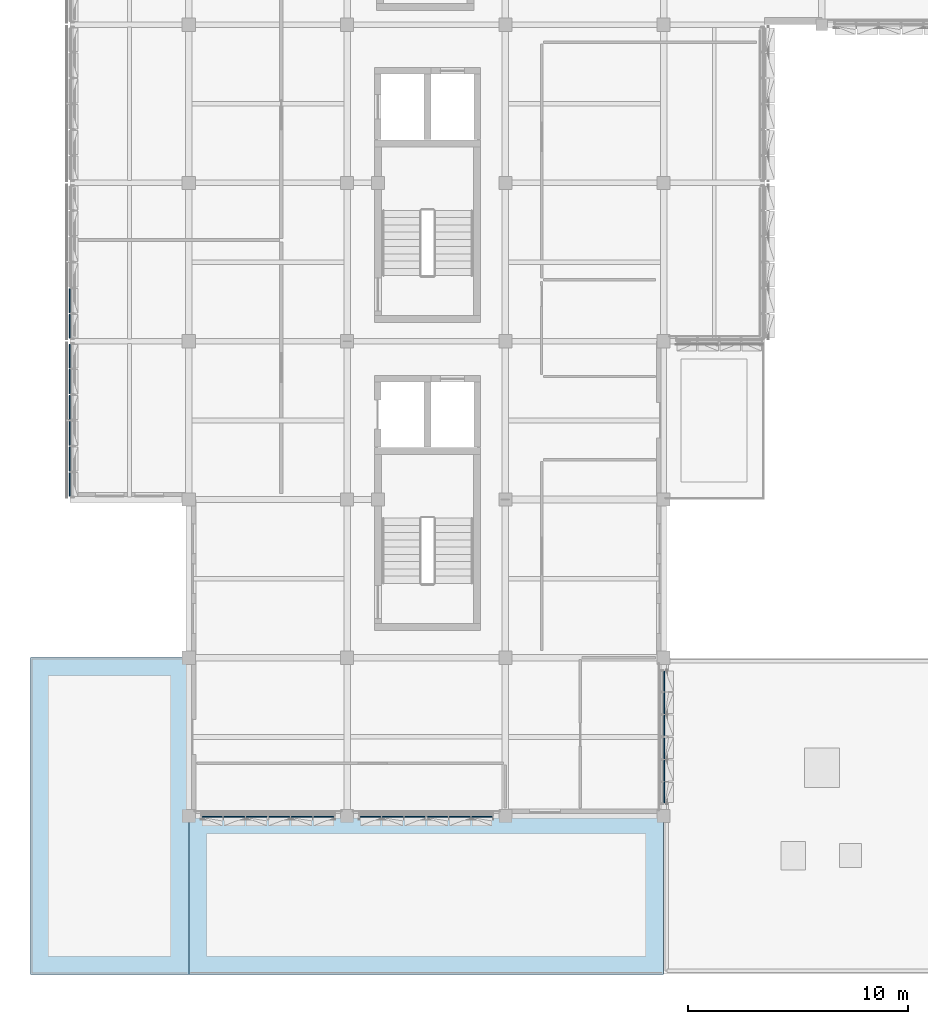
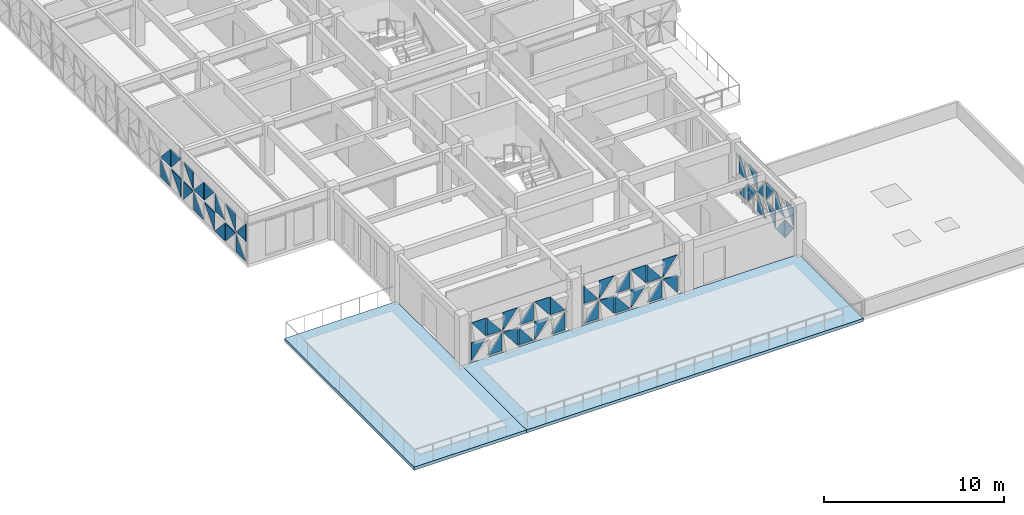
# One storey, part 25 of 74: 52 plates, 2 slabs, 5 elements without a shape of their own.
"""IFC4 building model written with IfcOpenShell, lengths in metres."""

from ifc_helpers import new_model, si_unit, direction, frame, origin, place, context, subcontext, project, spatial, polyline, outline, extrude, material, layer, layer_set, type_object, element, aggregate, save


model = new_model("IFC4")

# Units and contexts
model_context = context("Model", 3, precision=1e-05, world=origin(), true_north=direction((0.0, 1.0)))
body_context = subcontext(model_context, "Body", "Model", "MODEL_VIEW")
ifc_project = project(units=[si_unit("LENGTHUNIT", "METRE"), si_unit("AREAUNIT", "SQUARE_METRE"), si_unit("VOLUMEUNIT", "CUBIC_METRE"), si_unit("PLANEANGLEUNIT", "RADIAN"), si_unit("MASSUNIT", "GRAM", prefix="KILO")], contexts=[model_context])

# Site, building, storey
site_placement = place(None, origin())
site = spatial("IfcSite", under=ifc_project, at=site_placement, CompositionType="ELEMENT")
building_placement = place(site_placement, origin())
building = spatial("IfcBuilding", under=site, at=building_placement, Name="Alvorim Cloister Faculty of Sciences", CompositionType="ELEMENT")
storey_placement = place(building_placement, frame((0.0, 0.0, 15.75)))
storey = spatial("IfcBuildingStorey", under=building, at=storey_placement, Name="L04", CompositionType="ELEMENT", Elevation=15.75)

# Curtain wall, plates
ifc_material_1 = material(Name="Aluminium and Low-E Glass Curtain Wall", Category="aluminium")
curtain_wall_type_1 = type_object("IfcCurtainWallType", Name="CW-TRI-7040x2857", PredefinedType="USERDEFINED", material=ifc_material_1)
curtain_wall_1_placement = place(storey_placement, origin())
curtain_wall_1 = element("IfcCurtainWall", 1, at=curtain_wall_1_placement, inside=storey, type_object=curtain_wall_type_1, Name="L04 Diagonal Cassette Curtain Wall CW-0165", ObjectType="UNITISED CURTAIN WALL", PredefinedType="USERDEFINED")
ifc_material_2 = material(Name="Double Low-E Laminated Glass", Category="glass")
ifc_layer_1 = layer(ifc_material_2, 0.0400390625)
ifc_layer_set_1 = layer_set([ifc_layer_1], Name="Double Low-E Laminated Glass")
plate_type = type_object("IfcPlateType", Name="PN-GLZ-40", PredefinedType="CURTAIN_PANEL", material=ifc_layer_set_1)
plate_1_placement = place(storey_placement, frame((1.77490234375, 21.7451171875, 0.139892578125), z_axis=(0.0, 0.0, 1.0), x_axis=(0.0, 1.0, 0.0)))
plate_1 = element("IfcPlate", 2, at=plate_1_placement, type_object=plate_type, Name="Diagonal Glazed Triangle TRI-BR", PredefinedType="CURTAIN_PANEL", context=body_context, shape_type="SweptSolid", body=[
    extrude(outline(polyline([(0.001953125, 0.0), (1.075927734375, 0.0), (1.075927734375, 1.216552734375), (0.001953125, 0.0)])), frame((0.0, 0.02490234375, 0.0), z_axis=(0.0, -1.0, 0.0), x_axis=(1.0, 0.0, 0.0)), (0.0, 0.0, 1.0), 0.050048828125),
])
plate_2_placement = place(storey_placement, frame((1.77490234375, 21.7451171875, 1.49853515625), z_axis=(0.0, 0.0, 1.0), x_axis=(0.0, 1.0, 0.0)))
plate_2 = element("IfcPlate", 3, at=plate_2_placement, type_object=plate_type, Name="Diagonal Glazed Triangle TRI-BL", PredefinedType="CURTAIN_PANEL", context=body_context, shape_type="SweptSolid", body=[
    extrude(outline(polyline([(0.0, 0.0), (1.073974609375, 0.0), (0.0, 1.216552734375), (0.0, 0.0)])), frame((0.0, 0.02490234375, 0.0), z_axis=(0.0, -1.0, 0.0), x_axis=(1.0, 0.0, 0.0)), (0.0, 0.0, 1.0), 0.050048828125),
])
plate_3_placement = place(storey_placement, frame((1.77490234375, 22.8857421875, 0.139892578125), z_axis=(0.0, 0.0, 1.0), x_axis=(0.0, 1.0, 0.0)))
plate_3 = element("IfcPlate", 4, at=plate_3_placement, type_object=plate_type, Name="Diagonal Glazed Triangle TRI-TR", PredefinedType="CURTAIN_PANEL", context=body_context, shape_type="SweptSolid", body=[
    extrude(outline(polyline([(1.1083984375, 0.001953125), (1.1083984375, 1.218505859375), (0.001953125, 1.218505859375), (1.1083984375, 0.001953125)])), frame((0.0, 0.02490234375, 0.0), z_axis=(0.0, -1.0, 0.0), x_axis=(1.0, 0.0, 0.0)), (0.0, 0.0, 1.0), 0.050048828125),
])
plate_4_placement = place(storey_placement, frame((1.77490234375, 22.8857421875, 1.49853515625), z_axis=(0.0, 0.0, 1.0), x_axis=(0.0, 1.0, 0.0)))
plate_4 = element("IfcPlate", 5, at=plate_4_placement, type_object=plate_type, Name="Diagonal Glazed Triangle TRI-TL", PredefinedType="CURTAIN_PANEL", context=body_context, shape_type="SweptSolid", body=[
    extrude(outline(polyline([(1.1064453125, 1.218505859375), (0.0, 1.218505859375), (0.0, 0.001953125), (1.1064453125, 1.218505859375)])), frame((0.0, 0.02490234375, 0.0), z_axis=(0.0, -1.0, 0.0), x_axis=(1.0, 0.0, 0.0)), (0.0, 0.0, 1.0), 0.050048828125),
])
plate_5_placement = place(storey_placement, frame((1.77490234375, 24.05908203125, 0.139892578125), z_axis=(0.0, 0.0, 1.0), x_axis=(0.0, 1.0, 0.0)))
plate_5 = element("IfcPlate", 6, at=plate_5_placement, type_object=plate_type, Name="Diagonal Glazed Triangle TRI-BL", PredefinedType="CURTAIN_PANEL", context=body_context, shape_type="SweptSolid", body=[
    extrude(outline(polyline([(0.0, 0.0), (1.1064453125, 0.0), (0.0, 1.216552734375), (0.0, 0.0)])), frame((0.0, 0.02490234375, 0.0), z_axis=(0.0, -1.0, 0.0), x_axis=(1.0, 0.0, 0.0)), (0.0, 0.0, 1.0), 0.050048828125),
])
plate_6_placement = place(storey_placement, frame((1.77490234375, 24.05908203125, 1.49853515625), z_axis=(0.0, 0.0, 1.0), x_axis=(0.0, 1.0, 0.0)))
plate_6 = element("IfcPlate", 7, at=plate_6_placement, type_object=plate_type, Name="Diagonal Glazed Triangle TRI-BR", PredefinedType="CURTAIN_PANEL", context=body_context, shape_type="SweptSolid", body=[
    extrude(outline(polyline([(0.001953125, 0.0), (1.1083984375, 0.0), (1.1083984375, 1.216552734375), (0.001953125, 0.0)])), frame((0.0, 0.02490234375, 0.0), z_axis=(0.0, -1.0, 0.0), x_axis=(1.0, 0.0, 0.0)), (0.0, 0.0, 1.0), 0.050048828125),
])
plate_7_placement = place(storey_placement, frame((1.77490234375, 25.232421875, 0.139892578125), z_axis=(0.0, 0.0, 1.0), x_axis=(0.0, 1.0, 0.0)))
plate_7 = element("IfcPlate", 8, at=plate_7_placement, type_object=plate_type, Name="Diagonal Glazed Triangle TRI-TL", PredefinedType="CURTAIN_PANEL", context=body_context, shape_type="SweptSolid", body=[
    extrude(outline(polyline([(1.1064453125, 1.218505859375), (0.0, 1.218505859375), (0.0, 0.001953125), (1.1064453125, 1.218505859375)])), frame((0.0, 0.02490234375, 0.0), z_axis=(0.0, -1.0, 0.0), x_axis=(1.0, 0.0, 0.0)), (0.0, 0.0, 1.0), 0.050048828125),
])
plate_8_placement = place(storey_placement, frame((1.77490234375, 25.232421875, 1.49853515625), z_axis=(0.0, 0.0, 1.0), x_axis=(0.0, 1.0, 0.0)))
plate_8 = element("IfcPlate", 9, at=plate_8_placement, type_object=plate_type, Name="Diagonal Glazed Triangle TRI-TR", PredefinedType="CURTAIN_PANEL", context=body_context, shape_type="SweptSolid", body=[
    extrude(outline(polyline([(1.1083984375, 0.001953125), (1.1083984375, 1.218505859375), (0.001953125, 1.218505859375), (1.1083984375, 0.001953125)])), frame((0.0, 0.02490234375, 0.0), z_axis=(0.0, -1.0, 0.0), x_axis=(1.0, 0.0, 0.0)), (0.0, 0.0, 1.0), 0.050048828125),
])
plate_9_placement = place(storey_placement, frame((1.77490234375, 26.40576171875, 0.139892578125), z_axis=(0.0, 0.0, 1.0), x_axis=(0.0, 1.0, 0.0)))
plate_9 = element("IfcPlate", 10, at=plate_9_placement, type_object=plate_type, Name="Diagonal Glazed Triangle TRI-BR", PredefinedType="CURTAIN_PANEL", context=body_context, shape_type="SweptSolid", body=[
    extrude(outline(polyline([(0.001953125, 0.0), (1.1083984375, 0.0), (1.1083984375, 1.216552734375), (0.001953125, 0.0)])), frame((0.0, 0.02490234375, 0.0), z_axis=(0.0, -1.0, 0.0), x_axis=(1.0, 0.0, 0.0)), (0.0, 0.0, 1.0), 0.050048828125),
])
plate_10_placement = place(storey_placement, frame((1.77490234375, 26.40576171875, 1.49853515625), z_axis=(0.0, 0.0, 1.0), x_axis=(0.0, 1.0, 0.0)))
plate_10 = element("IfcPlate", 11, at=plate_10_placement, type_object=plate_type, Name="Diagonal Glazed Triangle TRI-BL", PredefinedType="CURTAIN_PANEL", context=body_context, shape_type="SweptSolid", body=[
    extrude(outline(polyline([(0.0, 0.0), (1.1064453125, 0.0), (0.0, 1.216552734375), (0.0, 0.0)])), frame((0.0, 0.02490234375, 0.0), z_axis=(0.0, -1.0, 0.0), x_axis=(1.0, 0.0, 0.0)), (0.0, 0.0, 1.0), 0.050048828125),
])
plate_11_placement = place(storey_placement, frame((1.77490234375, 27.5791015625, 0.139892578125), z_axis=(0.0, 0.0, 1.0), x_axis=(0.0, 1.0, 0.0)))
plate_11 = element("IfcPlate", 12, at=plate_11_placement, type_object=plate_type, Name="Diagonal Glazed Triangle TRI-TR", PredefinedType="CURTAIN_PANEL", context=body_context, shape_type="SweptSolid", body=[
    extrude(outline(polyline([(1.075927734375, 0.001953125), (1.075927734375, 1.218505859375), (0.001953125, 1.218505859375), (1.075927734375, 0.001953125)])), frame((0.0, 0.02490234375, 0.0), z_axis=(0.0, -1.0, 0.0), x_axis=(1.0, 0.0, 0.0)), (0.0, 0.0, 1.0), 0.050048828125),
])
plate_12_placement = place(storey_placement, frame((1.77490234375, 27.5791015625, 1.49853515625), z_axis=(0.0, 0.0, 1.0), x_axis=(0.0, 1.0, 0.0)))
plate_12 = element("IfcPlate", 13, at=plate_12_placement, type_object=plate_type, Name="Diagonal Glazed Triangle TRI-TL", PredefinedType="CURTAIN_PANEL", context=body_context, shape_type="SweptSolid", body=[
    extrude(outline(polyline([(1.073974609375, 1.218505859375), (0.0, 1.218505859375), (0.0, 0.001953125), (1.073974609375, 1.218505859375)])), frame((0.0, 0.02490234375, 0.0), z_axis=(0.0, -1.0, 0.0), x_axis=(1.0, 0.0, 0.0)), (0.0, 0.0, 1.0), 0.050048828125),
])
aggregate(curtain_wall_1, [plate_1, plate_2, plate_3, plate_4, plate_5, plate_6, plate_7, plate_8, plate_9, plate_10, plate_11, plate_12])

curtain_wall_2_placement = place(storey_placement, origin())
curtain_wall_2 = element("IfcCurtainWall", 14, at=curtain_wall_2_placement, inside=storey, type_object=curtain_wall_type_1, Name="L04 Diagonal Cassette Curtain Wall CW-0166", ObjectType="UNITISED CURTAIN WALL", PredefinedType="USERDEFINED")
plate_13_placement = place(storey_placement, frame((1.77490234375, 28.945068359375, 0.139892578125), z_axis=(0.0, 0.0, 1.0), x_axis=(0.0, 1.0, 0.0)))
plate_13 = element("IfcPlate", 15, at=plate_13_placement, type_object=plate_type, Name="Diagonal Glazed Triangle TRI-TL", PredefinedType="CURTAIN_PANEL", context=body_context, shape_type="SweptSolid", body=[
    extrude(outline(polyline([(1.073974609375, 1.218505859375), (0.0, 1.218505859375), (0.0, 0.001953125), (1.073974609375, 1.218505859375)])), frame((0.0, 0.02490234375, 0.0), z_axis=(0.0, -1.0, 0.0), x_axis=(1.0, 0.0, 0.0)), (0.0, 0.0, 1.0), 0.050048828125),
])
plate_14_placement = place(storey_placement, frame((1.77490234375, 28.945068359375, 1.49853515625), z_axis=(0.0, 0.0, 1.0), x_axis=(0.0, 1.0, 0.0)))
plate_14 = element("IfcPlate", 16, at=plate_14_placement, type_object=plate_type, Name="Diagonal Glazed Triangle TRI-TR", PredefinedType="CURTAIN_PANEL", context=body_context, shape_type="SweptSolid", body=[
    extrude(outline(polyline([(1.075927734375, 0.001953125), (1.075927734375, 1.218505859375), (0.001953125, 1.218505859375), (1.075927734375, 0.001953125)])), frame((0.0, 0.02490234375, 0.0), z_axis=(0.0, -1.0, 0.0), x_axis=(1.0, 0.0, 0.0)), (0.0, 0.0, 1.0), 0.050048828125),
])
plate_15_placement = place(storey_placement, frame((1.77490234375, 30.0859375, 0.139892578125), z_axis=(0.0, 0.0, 1.0), x_axis=(0.0, 1.0, 0.0)))
plate_15 = element("IfcPlate", 17, at=plate_15_placement, type_object=plate_type, Name="Diagonal Glazed Triangle TRI-BR", PredefinedType="CURTAIN_PANEL", context=body_context, shape_type="SweptSolid", body=[
    extrude(outline(polyline([(0.001953125, 0.0), (1.1083984375, 0.0), (1.1083984375, 1.216552734375), (0.001953125, 0.0)])), frame((0.0, 0.02490234375, 0.0), z_axis=(0.0, -1.0, 0.0), x_axis=(1.0, 0.0, 0.0)), (0.0, 0.0, 1.0), 0.050048828125),
])
plate_16_placement = place(storey_placement, frame((1.77490234375, 30.0859375, 1.49853515625), z_axis=(0.0, 0.0, 1.0), x_axis=(0.0, 1.0, 0.0)))
plate_16 = element("IfcPlate", 18, at=plate_16_placement, type_object=plate_type, Name="Diagonal Glazed Triangle TRI-BL", PredefinedType="CURTAIN_PANEL", context=body_context, shape_type="SweptSolid", body=[
    extrude(outline(polyline([(0.0, 0.0), (1.1064453125, 0.0), (0.0, 1.216552734375), (0.0, 0.0)])), frame((0.0, 0.02490234375, 0.0), z_axis=(0.0, -1.0, 0.0), x_axis=(1.0, 0.0, 0.0)), (0.0, 0.0, 1.0), 0.050048828125),
])
aggregate(curtain_wall_2, [plate_13, plate_14, plate_15, plate_16])

curtain_wall_type_2 = type_object("IfcCurtainWallType", Name="CW-TRI-6120x2850", PredefinedType="USERDEFINED", material=ifc_material_1)
curtain_wall_3_placement = place(storey_placement, origin())
curtain_wall_3 = element("IfcCurtainWall", 19, at=curtain_wall_3_placement, inside=storey, type_object=curtain_wall_type_2, Name="L04 Diagonal Cassette Curtain Wall CW-0200", ObjectType="UNITISED CURTAIN WALL", PredefinedType="USERDEFINED")
plate_17_placement = place(storey_placement, frame((28.824951171875, 7.804931640625, 0.139892578125), z_axis=(0.0, 0.0, 1.0), x_axis=(0.0, 1.0, 0.0)))
plate_17 = element("IfcPlate", 20, at=plate_17_placement, type_object=plate_type, Name="Diagonal Glazed Triangle TRI-TR", PredefinedType="CURTAIN_PANEL", context=body_context, shape_type="SweptSolid", body=[
    extrude(outline(polyline([(0.922607421875, 0.001953125), (0.922607421875, 1.215087890625), (0.001953125, 1.215087890625), (0.922607421875, 0.001953125)])), frame((0.0, 0.02490234375, 0.0), z_axis=(0.0, -1.0, 0.0), x_axis=(1.0, 0.0, 0.0)), (0.0, 0.0, 1.0), 0.050048828125),
])
plate_18_placement = place(storey_placement, frame((28.824951171875, 7.804931640625, 1.4951171875), z_axis=(0.0, 0.0, 1.0), x_axis=(0.0, 1.0, 0.0)))
plate_18 = element("IfcPlate", 21, at=plate_18_placement, type_object=plate_type, Name="Diagonal Glazed Triangle TRI-TL", PredefinedType="CURTAIN_PANEL", context=body_context, shape_type="SweptSolid", body=[
    extrude(outline(polyline([(0.920654296875, 1.21484375), (0.0, 1.21484375), (0.0, 0.001953125), (0.920654296875, 1.21484375)])), frame((0.0, 0.02490234375, 0.0), z_axis=(0.0, -1.0, 0.0), x_axis=(1.0, 0.0, 0.0)), (0.0, 0.0, 1.0), 0.050048828125),
])
plate_19_placement = place(storey_placement, frame((28.824951171875, 8.79248046875, 0.139892578125), z_axis=(0.0, 0.0, 1.0), x_axis=(0.0, 1.0, 0.0)))
plate_19 = element("IfcPlate", 22, at=plate_19_placement, type_object=plate_type, Name="Diagonal Glazed Triangle TRI-BL", PredefinedType="CURTAIN_PANEL", context=body_context, shape_type="SweptSolid", body=[
    extrude(outline(polyline([(0.0, 0.0), (0.953125, 0.0), (0.0, 1.213134765625), (0.0, 0.0)])), frame((0.0, 0.02490234375, 0.0), z_axis=(0.0, -1.0, 0.0), x_axis=(1.0, 0.0, 0.0)), (0.0, 0.0, 1.0), 0.050048828125),
])
plate_20_placement = place(storey_placement, frame((28.824951171875, 8.79248046875, 1.4951171875), z_axis=(0.0, 0.0, 1.0), x_axis=(0.0, 1.0, 0.0)))
plate_20 = element("IfcPlate", 23, at=plate_20_placement, type_object=plate_type, Name="Diagonal Glazed Triangle TRI-BR", PredefinedType="CURTAIN_PANEL", context=body_context, shape_type="SweptSolid", body=[
    extrude(outline(polyline([(0.001953125, 0.0), (0.955078125, 0.0), (0.955078125, 1.212890625), (0.001953125, 0.0)])), frame((0.0, 0.02490234375, 0.0), z_axis=(0.0, -1.0, 0.0), x_axis=(1.0, 0.0, 0.0)), (0.0, 0.0, 1.0), 0.050048828125),
])
plate_21_placement = place(storey_placement, frame((28.824951171875, 9.8125, 0.139892578125), z_axis=(0.0, 0.0, 1.0), x_axis=(0.0, 1.0, 0.0)))
plate_21 = element("IfcPlate", 24, at=plate_21_placement, type_object=plate_type, Name="Diagonal Glazed Triangle TRI-TL", PredefinedType="CURTAIN_PANEL", context=body_context, shape_type="SweptSolid", body=[
    extrude(outline(polyline([(0.953125, 1.215087890625), (0.0, 1.215087890625), (0.0, 0.001953125), (0.953125, 1.215087890625)])), frame((0.0, 0.02490234375, 0.0), z_axis=(0.0, -1.0, 0.0), x_axis=(1.0, 0.0, 0.0)), (0.0, 0.0, 1.0), 0.050048828125),
])
plate_22_placement = place(storey_placement, frame((28.824951171875, 9.8125, 1.4951171875), z_axis=(0.0, 0.0, 1.0), x_axis=(0.0, 1.0, 0.0)))
plate_22 = element("IfcPlate", 25, at=plate_22_placement, type_object=plate_type, Name="Diagonal Glazed Triangle TRI-TR", PredefinedType="CURTAIN_PANEL", context=body_context, shape_type="SweptSolid", body=[
    extrude(outline(polyline([(0.955078125, 0.001953125), (0.955078125, 1.21484375), (0.001953125, 1.21484375), (0.955078125, 0.001953125)])), frame((0.0, 0.02490234375, 0.0), z_axis=(0.0, -1.0, 0.0), x_axis=(1.0, 0.0, 0.0)), (0.0, 0.0, 1.0), 0.050048828125),
])
plate_23_placement = place(storey_placement, frame((28.824951171875, 10.83251953125, 0.139892578125), z_axis=(0.0, 0.0, 1.0), x_axis=(0.0, 1.0, 0.0)))
plate_23 = element("IfcPlate", 26, at=plate_23_placement, type_object=plate_type, Name="Diagonal Glazed Triangle TRI-BR", PredefinedType="CURTAIN_PANEL", context=body_context, shape_type="SweptSolid", body=[
    extrude(outline(polyline([(0.001953125, 0.0), (0.955078125, 0.0), (0.955078125, 1.213134765625), (0.001953125, 0.0)])), frame((0.0, 0.02490234375, 0.0), z_axis=(0.0, -1.0, 0.0), x_axis=(1.0, 0.0, 0.0)), (0.0, 0.0, 1.0), 0.050048828125),
])
plate_24_placement = place(storey_placement, frame((28.824951171875, 10.83251953125, 1.4951171875), z_axis=(0.0, 0.0, 1.0), x_axis=(0.0, 1.0, 0.0)))
plate_24 = element("IfcPlate", 27, at=plate_24_placement, type_object=plate_type, Name="Diagonal Glazed Triangle TRI-BL", PredefinedType="CURTAIN_PANEL", context=body_context, shape_type="SweptSolid", body=[
    extrude(outline(polyline([(0.0, 0.0), (0.953125, 0.0), (0.0, 1.212890625), (0.0, 0.0)])), frame((0.0, 0.02490234375, 0.0), z_axis=(0.0, -1.0, 0.0), x_axis=(1.0, 0.0, 0.0)), (0.0, 0.0, 1.0), 0.050048828125),
])
plate_25_placement = place(storey_placement, frame((28.824951171875, 11.8525390625, 0.139892578125), z_axis=(0.0, 0.0, 1.0), x_axis=(0.0, 1.0, 0.0)))
plate_25 = element("IfcPlate", 28, at=plate_25_placement, type_object=plate_type, Name="Diagonal Glazed Triangle TRI-TR", PredefinedType="CURTAIN_PANEL", context=body_context, shape_type="SweptSolid", body=[
    extrude(outline(polyline([(0.955078125, 0.001953125), (0.955078125, 1.215087890625), (0.001953125, 1.215087890625), (0.955078125, 0.001953125)])), frame((0.0, 0.02490234375, 0.0), z_axis=(0.0, -1.0, 0.0), x_axis=(1.0, 0.0, 0.0)), (0.0, 0.0, 1.0), 0.050048828125),
])
plate_26_placement = place(storey_placement, frame((28.824951171875, 11.8525390625, 1.4951171875), z_axis=(0.0, 0.0, 1.0), x_axis=(0.0, 1.0, 0.0)))
plate_26 = element("IfcPlate", 29, at=plate_26_placement, type_object=plate_type, Name="Diagonal Glazed Triangle TRI-TL", PredefinedType="CURTAIN_PANEL", context=body_context, shape_type="SweptSolid", body=[
    extrude(outline(polyline([(0.953125, 1.21484375), (0.0, 1.21484375), (0.0, 0.001953125), (0.953125, 1.21484375)])), frame((0.0, 0.02490234375, 0.0), z_axis=(0.0, -1.0, 0.0), x_axis=(1.0, 0.0, 0.0)), (0.0, 0.0, 1.0), 0.050048828125),
])
plate_27_placement = place(storey_placement, frame((28.824951171875, 12.87255859375, 0.139892578125), z_axis=(0.0, 0.0, 1.0), x_axis=(0.0, 1.0, 0.0)))
plate_27 = element("IfcPlate", 30, at=plate_27_placement, type_object=plate_type, Name="Diagonal Glazed Triangle TRI-BL", PredefinedType="CURTAIN_PANEL", context=body_context, shape_type="SweptSolid", body=[
    extrude(outline(polyline([(0.0, 0.0), (0.920654296875, 0.0), (0.0, 1.213134765625), (0.0, 0.0)])), frame((0.0, 0.02490234375, 0.0), z_axis=(0.0, -1.0, 0.0), x_axis=(1.0, 0.0, 0.0)), (0.0, 0.0, 1.0), 0.050048828125),
])
plate_28_placement = place(storey_placement, frame((28.824951171875, 12.87255859375, 1.4951171875), z_axis=(0.0, 0.0, 1.0), x_axis=(0.0, 1.0, 0.0)))
plate_28 = element("IfcPlate", 31, at=plate_28_placement, type_object=plate_type, Name="Diagonal Glazed Triangle TRI-BR", PredefinedType="CURTAIN_PANEL", context=body_context, shape_type="SweptSolid", body=[
    extrude(outline(polyline([(0.001953125, 0.0), (0.922607421875, 0.0), (0.922607421875, 1.212890625), (0.001953125, 0.0)])), frame((0.0, 0.02490234375, 0.0), z_axis=(0.0, -1.0, 0.0), x_axis=(1.0, 0.0, 0.0)), (0.0, 0.0, 1.0), 0.050048828125),
])
aggregate(curtain_wall_3, [plate_17, plate_18, plate_19, plate_20, plate_21, plate_22, plate_23, plate_24, plate_25, plate_26, plate_27, plate_28])

curtain_wall_4_placement = place(storey_placement, origin())
curtain_wall_4 = element("IfcCurtainWall", 32, at=curtain_wall_4_placement, inside=storey, type_object=curtain_wall_type_2, Name="L04 Diagonal Cassette Curtain Wall CW-0201", ObjectType="UNITISED CURTAIN WALL", PredefinedType="USERDEFINED")
plate_29_placement = place(storey_placement, frame((15.0048828125, 7.175048828125, 0.139892578125), z_axis=(0.0, 0.0, 1.0), x_axis=(1.0, 0.0, 0.0)))
plate_29 = element("IfcPlate", 33, at=plate_29_placement, type_object=plate_type, Name="Diagonal Glazed Triangle TRI-BR", PredefinedType="CURTAIN_PANEL", context=body_context, shape_type="SweptSolid", body=[
    extrude(outline(polyline([(0.001953125, 0.0), (0.922607421875, 0.0), (0.922607421875, 1.213134765625), (0.001953125, 0.0)])), frame((0.0, 0.02490234375, 0.0), z_axis=(0.0, -1.0, 0.0), x_axis=(1.0, 0.0, 0.0)), (0.0, 0.0, 1.0), 0.050048828125),
])
plate_30_placement = place(storey_placement, frame((15.0048828125, 7.175048828125, 1.4951171875), z_axis=(0.0, 0.0, 1.0), x_axis=(1.0, 0.0, 0.0)))
plate_30 = element("IfcPlate", 34, at=plate_30_placement, type_object=plate_type, Name="Diagonal Glazed Triangle TRI-BL", PredefinedType="CURTAIN_PANEL", context=body_context, shape_type="SweptSolid", body=[
    extrude(outline(polyline([(0.0, 0.0), (0.920654296875, 0.0), (0.0, 1.212890625), (0.0, 0.0)])), frame((0.0, 0.02490234375, 0.0), z_axis=(0.0, -1.0, 0.0), x_axis=(1.0, 0.0, 0.0)), (0.0, 0.0, 1.0), 0.050048828125),
])
plate_31_placement = place(storey_placement, frame((15.992431640625, 7.175048828125, 0.139892578125), z_axis=(0.0, 0.0, 1.0), x_axis=(1.0, 0.0, 0.0)))
plate_31 = element("IfcPlate", 35, at=plate_31_placement, type_object=plate_type, Name="Diagonal Glazed Triangle TRI-TR", PredefinedType="CURTAIN_PANEL", context=body_context, shape_type="SweptSolid", body=[
    extrude(outline(polyline([(0.955078125, 0.001953125), (0.955078125, 1.215087890625), (0.001953125, 1.215087890625), (0.955078125, 0.001953125)])), frame((0.0, 0.02490234375, 0.0), z_axis=(0.0, -1.0, 0.0), x_axis=(1.0, 0.0, 0.0)), (0.0, 0.0, 1.0), 0.050048828125),
])
plate_32_placement = place(storey_placement, frame((15.992431640625, 7.175048828125, 1.4951171875), z_axis=(0.0, 0.0, 1.0), x_axis=(1.0, 0.0, 0.0)))
plate_32 = element("IfcPlate", 36, at=plate_32_placement, type_object=plate_type, Name="Diagonal Glazed Triangle TRI-TL", PredefinedType="CURTAIN_PANEL", context=body_context, shape_type="SweptSolid", body=[
    extrude(outline(polyline([(0.953125, 1.21484375), (0.0, 1.21484375), (0.0, 0.001953125), (0.953125, 1.21484375)])), frame((0.0, 0.02490234375, 0.0), z_axis=(0.0, -1.0, 0.0), x_axis=(1.0, 0.0, 0.0)), (0.0, 0.0, 1.0), 0.050048828125),
])
plate_33_placement = place(storey_placement, frame((17.012451171875, 7.175048828125, 0.139892578125), z_axis=(0.0, 0.0, 1.0), x_axis=(1.0, 0.0, 0.0)))
plate_33 = element("IfcPlate", 37, at=plate_33_placement, type_object=plate_type, Name="Diagonal Glazed Triangle TRI-BL", PredefinedType="CURTAIN_PANEL", context=body_context, shape_type="SweptSolid", body=[
    extrude(outline(polyline([(0.0, 0.0), (0.953125, 0.0), (0.0, 1.213134765625), (0.0, 0.0)])), frame((0.0, 0.02490234375, 0.0), z_axis=(0.0, -1.0, 0.0), x_axis=(1.0, 0.0, 0.0)), (0.0, 0.0, 1.0), 0.050048828125),
])
plate_34_placement = place(storey_placement, frame((17.012451171875, 7.175048828125, 1.4951171875), z_axis=(0.0, 0.0, 1.0), x_axis=(1.0, 0.0, 0.0)))
plate_34 = element("IfcPlate", 38, at=plate_34_placement, type_object=plate_type, Name="Diagonal Glazed Triangle TRI-BR", PredefinedType="CURTAIN_PANEL", context=body_context, shape_type="SweptSolid", body=[
    extrude(outline(polyline([(0.001953125, 0.0), (0.955078125, 0.0), (0.955078125, 1.212890625), (0.001953125, 0.0)])), frame((0.0, 0.02490234375, 0.0), z_axis=(0.0, -1.0, 0.0), x_axis=(1.0, 0.0, 0.0)), (0.0, 0.0, 1.0), 0.050048828125),
])
plate_35_placement = place(storey_placement, frame((18.032470703125, 7.175048828125, 0.139892578125), z_axis=(0.0, 0.0, 1.0), x_axis=(1.0, 0.0, 0.0)))
plate_35 = element("IfcPlate", 39, at=plate_35_placement, type_object=plate_type, Name="Diagonal Glazed Triangle TRI-TL", PredefinedType="CURTAIN_PANEL", context=body_context, shape_type="SweptSolid", body=[
    extrude(outline(polyline([(0.953125, 1.215087890625), (0.0, 1.215087890625), (0.0, 0.001953125), (0.953125, 1.215087890625)])), frame((0.0, 0.02490234375, 0.0), z_axis=(0.0, -1.0, 0.0), x_axis=(1.0, 0.0, 0.0)), (0.0, 0.0, 1.0), 0.050048828125),
])
plate_36_placement = place(storey_placement, frame((18.032470703125, 7.175048828125, 1.4951171875), z_axis=(0.0, 0.0, 1.0), x_axis=(1.0, 0.0, 0.0)))
plate_36 = element("IfcPlate", 40, at=plate_36_placement, type_object=plate_type, Name="Diagonal Glazed Triangle TRI-TR", PredefinedType="CURTAIN_PANEL", context=body_context, shape_type="SweptSolid", body=[
    extrude(outline(polyline([(0.955078125, 0.001953125), (0.955078125, 1.21484375), (0.001953125, 1.21484375), (0.955078125, 0.001953125)])), frame((0.0, 0.02490234375, 0.0), z_axis=(0.0, -1.0, 0.0), x_axis=(1.0, 0.0, 0.0)), (0.0, 0.0, 1.0), 0.050048828125),
])
plate_37_placement = place(storey_placement, frame((19.052490234375, 7.175048828125, 0.139892578125), z_axis=(0.0, 0.0, 1.0), x_axis=(1.0, 0.0, 0.0)))
plate_37 = element("IfcPlate", 41, at=plate_37_placement, type_object=plate_type, Name="Diagonal Glazed Triangle TRI-BR", PredefinedType="CURTAIN_PANEL", context=body_context, shape_type="SweptSolid", body=[
    extrude(outline(polyline([(0.001953125, 0.0), (0.955078125, 0.0), (0.955078125, 1.213134765625), (0.001953125, 0.0)])), frame((0.0, 0.02490234375, 0.0), z_axis=(0.0, -1.0, 0.0), x_axis=(1.0, 0.0, 0.0)), (0.0, 0.0, 1.0), 0.050048828125),
])
plate_38_placement = place(storey_placement, frame((19.052490234375, 7.175048828125, 1.4951171875), z_axis=(0.0, 0.0, 1.0), x_axis=(1.0, 0.0, 0.0)))
plate_38 = element("IfcPlate", 42, at=plate_38_placement, type_object=plate_type, Name="Diagonal Glazed Triangle TRI-BL", PredefinedType="CURTAIN_PANEL", context=body_context, shape_type="SweptSolid", body=[
    extrude(outline(polyline([(0.0, 0.0), (0.953125, 0.0), (0.0, 1.212890625), (0.0, 0.0)])), frame((0.0, 0.02490234375, 0.0), z_axis=(0.0, -1.0, 0.0), x_axis=(1.0, 0.0, 0.0)), (0.0, 0.0, 1.0), 0.050048828125),
])
plate_39_placement = place(storey_placement, frame((20.072509765625, 7.175048828125, 0.139892578125), z_axis=(0.0, 0.0, 1.0), x_axis=(1.0, 0.0, 0.0)))
plate_39 = element("IfcPlate", 43, at=plate_39_placement, type_object=plate_type, Name="Diagonal Glazed Triangle TRI-TR", PredefinedType="CURTAIN_PANEL", context=body_context, shape_type="SweptSolid", body=[
    extrude(outline(polyline([(0.922607421875, 0.001953125), (0.922607421875, 1.215087890625), (0.001953125, 1.215087890625), (0.922607421875, 0.001953125)])), frame((0.0, 0.02490234375, 0.0), z_axis=(0.0, -1.0, 0.0), x_axis=(1.0, 0.0, 0.0)), (0.0, 0.0, 1.0), 0.050048828125),
])
plate_40_placement = place(storey_placement, frame((20.072509765625, 7.175048828125, 1.4951171875), z_axis=(0.0, 0.0, 1.0), x_axis=(1.0, 0.0, 0.0)))
plate_40 = element("IfcPlate", 44, at=plate_40_placement, type_object=plate_type, Name="Diagonal Glazed Triangle TRI-TL", PredefinedType="CURTAIN_PANEL", context=body_context, shape_type="SweptSolid", body=[
    extrude(outline(polyline([(0.920654296875, 1.21484375), (0.0, 1.21484375), (0.0, 0.001953125), (0.920654296875, 1.21484375)])), frame((0.0, 0.02490234375, 0.0), z_axis=(0.0, -1.0, 0.0), x_axis=(1.0, 0.0, 0.0)), (0.0, 0.0, 1.0), 0.050048828125),
])
aggregate(curtain_wall_4, [plate_29, plate_30, plate_31, plate_32, plate_33, plate_34, plate_35, plate_36, plate_37, plate_38, plate_39, plate_40])

curtain_wall_5_placement = place(storey_placement, origin())
curtain_wall_5 = element("IfcCurtainWall", 45, at=curtain_wall_5_placement, inside=storey, type_object=curtain_wall_type_2, Name="L04 Diagonal Cassette Curtain Wall CW-0202", ObjectType="UNITISED CURTAIN WALL", PredefinedType="USERDEFINED")
plate_41_placement = place(storey_placement, frame((7.804931640625, 7.175048828125, 0.139892578125), z_axis=(0.0, 0.0, 1.0), x_axis=(1.0, 0.0, 0.0)))
plate_41 = element("IfcPlate", 46, at=plate_41_placement, type_object=plate_type, Name="Diagonal Glazed Triangle TRI-TL", PredefinedType="CURTAIN_PANEL", context=body_context, shape_type="SweptSolid", body=[
    extrude(outline(polyline([(0.920654296875, 1.215087890625), (0.0, 1.215087890625), (0.0, 0.001953125), (0.920654296875, 1.215087890625)])), frame((0.0, 0.02490234375, 0.0), z_axis=(0.0, -1.0, 0.0), x_axis=(1.0, 0.0, 0.0)), (0.0, 0.0, 1.0), 0.050048828125),
])
plate_42_placement = place(storey_placement, frame((7.804931640625, 7.175048828125, 1.4951171875), z_axis=(0.0, 0.0, 1.0), x_axis=(1.0, 0.0, 0.0)))
plate_42 = element("IfcPlate", 47, at=plate_42_placement, type_object=plate_type, Name="Diagonal Glazed Triangle TRI-TR", PredefinedType="CURTAIN_PANEL", context=body_context, shape_type="SweptSolid", body=[
    extrude(outline(polyline([(0.922607421875, 0.001953125), (0.922607421875, 1.21484375), (0.001953125, 1.21484375), (0.922607421875, 0.001953125)])), frame((0.0, 0.02490234375, 0.0), z_axis=(0.0, -1.0, 0.0), x_axis=(1.0, 0.0, 0.0)), (0.0, 0.0, 1.0), 0.050048828125),
])
plate_43_placement = place(storey_placement, frame((8.79248046875, 7.175048828125, 0.139892578125), z_axis=(0.0, 0.0, 1.0), x_axis=(1.0, 0.0, 0.0)))
plate_43 = element("IfcPlate", 48, at=plate_43_placement, type_object=plate_type, Name="Diagonal Glazed Triangle TRI-BR", PredefinedType="CURTAIN_PANEL", context=body_context, shape_type="SweptSolid", body=[
    extrude(outline(polyline([(0.001953125, 0.0), (0.955078125, 0.0), (0.955078125, 1.213134765625), (0.001953125, 0.0)])), frame((0.0, 0.02490234375, 0.0), z_axis=(0.0, -1.0, 0.0), x_axis=(1.0, 0.0, 0.0)), (0.0, 0.0, 1.0), 0.050048828125),
])
plate_44_placement = place(storey_placement, frame((8.79248046875, 7.175048828125, 1.4951171875), z_axis=(0.0, 0.0, 1.0), x_axis=(1.0, 0.0, 0.0)))
plate_44 = element("IfcPlate", 49, at=plate_44_placement, type_object=plate_type, Name="Diagonal Glazed Triangle TRI-BL", PredefinedType="CURTAIN_PANEL", context=body_context, shape_type="SweptSolid", body=[
    extrude(outline(polyline([(0.0, 0.0), (0.953125, 0.0), (0.0, 1.212890625), (0.0, 0.0)])), frame((0.0, 0.02490234375, 0.0), z_axis=(0.0, -1.0, 0.0), x_axis=(1.0, 0.0, 0.0)), (0.0, 0.0, 1.0), 0.050048828125),
])
plate_45_placement = place(storey_placement, frame((9.8125, 7.175048828125, 0.139892578125), z_axis=(0.0, 0.0, 1.0), x_axis=(1.0, 0.0, 0.0)))
plate_45 = element("IfcPlate", 50, at=plate_45_placement, type_object=plate_type, Name="Diagonal Glazed Triangle TRI-TR", PredefinedType="CURTAIN_PANEL", context=body_context, shape_type="SweptSolid", body=[
    extrude(outline(polyline([(0.955078125, 0.001953125), (0.955078125, 1.215087890625), (0.001953125, 1.215087890625), (0.955078125, 0.001953125)])), frame((0.0, 0.02490234375, 0.0), z_axis=(0.0, -1.0, 0.0), x_axis=(1.0, 0.0, 0.0)), (0.0, 0.0, 1.0), 0.050048828125),
])
plate_46_placement = place(storey_placement, frame((9.8125, 7.175048828125, 1.4951171875), z_axis=(0.0, 0.0, 1.0), x_axis=(1.0, 0.0, 0.0)))
plate_46 = element("IfcPlate", 51, at=plate_46_placement, type_object=plate_type, Name="Diagonal Glazed Triangle TRI-TL", PredefinedType="CURTAIN_PANEL", context=body_context, shape_type="SweptSolid", body=[
    extrude(outline(polyline([(0.953125, 1.21484375), (0.0, 1.21484375), (0.0, 0.001953125), (0.953125, 1.21484375)])), frame((0.0, 0.02490234375, 0.0), z_axis=(0.0, -1.0, 0.0), x_axis=(1.0, 0.0, 0.0)), (0.0, 0.0, 1.0), 0.050048828125),
])
plate_47_placement = place(storey_placement, frame((10.83251953125, 7.175048828125, 0.139892578125), z_axis=(0.0, 0.0, 1.0), x_axis=(1.0, 0.0, 0.0)))
plate_47 = element("IfcPlate", 52, at=plate_47_placement, type_object=plate_type, Name="Diagonal Glazed Triangle TRI-BL", PredefinedType="CURTAIN_PANEL", context=body_context, shape_type="SweptSolid", body=[
    extrude(outline(polyline([(0.0, 0.0), (0.953125, 0.0), (0.0, 1.213134765625), (0.0, 0.0)])), frame((0.0, 0.02490234375, 0.0), z_axis=(0.0, -1.0, 0.0), x_axis=(1.0, 0.0, 0.0)), (0.0, 0.0, 1.0), 0.050048828125),
])
plate_48_placement = place(storey_placement, frame((10.83251953125, 7.175048828125, 1.4951171875), z_axis=(0.0, 0.0, 1.0), x_axis=(1.0, 0.0, 0.0)))
plate_48 = element("IfcPlate", 53, at=plate_48_placement, type_object=plate_type, Name="Diagonal Glazed Triangle TRI-BR", PredefinedType="CURTAIN_PANEL", context=body_context, shape_type="SweptSolid", body=[
    extrude(outline(polyline([(0.001953125, 0.0), (0.955078125, 0.0), (0.955078125, 1.212890625), (0.001953125, 0.0)])), frame((0.0, 0.02490234375, 0.0), z_axis=(0.0, -1.0, 0.0), x_axis=(1.0, 0.0, 0.0)), (0.0, 0.0, 1.0), 0.050048828125),
])
plate_49_placement = place(storey_placement, frame((11.8525390625, 7.175048828125, 0.139892578125), z_axis=(0.0, 0.0, 1.0), x_axis=(1.0, 0.0, 0.0)))
plate_49 = element("IfcPlate", 54, at=plate_49_placement, type_object=plate_type, Name="Diagonal Glazed Triangle TRI-TL", PredefinedType="CURTAIN_PANEL", context=body_context, shape_type="SweptSolid", body=[
    extrude(outline(polyline([(0.953125, 1.215087890625), (0.0, 1.215087890625), (0.0, 0.001953125), (0.953125, 1.215087890625)])), frame((0.0, 0.02490234375, 0.0), z_axis=(0.0, -1.0, 0.0), x_axis=(1.0, 0.0, 0.0)), (0.0, 0.0, 1.0), 0.050048828125),
])
plate_50_placement = place(storey_placement, frame((11.8525390625, 7.175048828125, 1.4951171875), z_axis=(0.0, 0.0, 1.0), x_axis=(1.0, 0.0, 0.0)))
plate_50 = element("IfcPlate", 55, at=plate_50_placement, type_object=plate_type, Name="Diagonal Glazed Triangle TRI-TR", PredefinedType="CURTAIN_PANEL", context=body_context, shape_type="SweptSolid", body=[
    extrude(outline(polyline([(0.955078125, 0.001953125), (0.955078125, 1.21484375), (0.001953125, 1.21484375), (0.955078125, 0.001953125)])), frame((0.0, 0.02490234375, 0.0), z_axis=(0.0, -1.0, 0.0), x_axis=(1.0, 0.0, 0.0)), (0.0, 0.0, 1.0), 0.050048828125),
])
plate_51_placement = place(storey_placement, frame((12.87255859375, 7.175048828125, 0.139892578125), z_axis=(0.0, 0.0, 1.0), x_axis=(1.0, 0.0, 0.0)))
plate_51 = element("IfcPlate", 56, at=plate_51_placement, type_object=plate_type, Name="Diagonal Glazed Triangle TRI-BR", PredefinedType="CURTAIN_PANEL", context=body_context, shape_type="SweptSolid", body=[
    extrude(outline(polyline([(0.001953125, 0.0), (0.922607421875, 0.0), (0.922607421875, 1.213134765625), (0.001953125, 0.0)])), frame((0.0, 0.02490234375, 0.0), z_axis=(0.0, -1.0, 0.0), x_axis=(1.0, 0.0, 0.0)), (0.0, 0.0, 1.0), 0.050048828125),
])
plate_52_placement = place(storey_placement, frame((12.87255859375, 7.175048828125, 1.4951171875), z_axis=(0.0, 0.0, 1.0), x_axis=(1.0, 0.0, 0.0)))
plate_52 = element("IfcPlate", 57, at=plate_52_placement, type_object=plate_type, Name="Diagonal Glazed Triangle TRI-BL", PredefinedType="CURTAIN_PANEL", context=body_context, shape_type="SweptSolid", body=[
    extrude(outline(polyline([(0.0, 0.0), (0.920654296875, 0.0), (0.0, 1.212890625), (0.0, 0.0)])), frame((0.0, 0.02490234375, 0.0), z_axis=(0.0, -1.0, 0.0), x_axis=(1.0, 0.0, 0.0)), (0.0, 0.0, 1.0), 0.050048828125),
])
aggregate(curtain_wall_5, [plate_41, plate_42, plate_43, plate_44, plate_45, plate_46, plate_47, plate_48, plate_49, plate_50, plate_51, plate_52])

# Slabs
ifc_material_3 = material(Name="Cross-Laminated Timber CLT C24", Category="wood")
ifc_layer_2 = layer(ifc_material_3, 0.2099609375)
ifc_layer_set_2 = layer_set([ifc_layer_2], Name="Cross-Laminated Timber CLT C24")
slab_type = type_object("IfcSlabType", Name="SL-TER-210", PredefinedType="USERDEFINED", material=ifc_layer_set_2)
slab_1_placement = place(storey_placement, frame((0.0, 0.0, -0.2099609375)))
element("IfcSlab", 58, at=slab_1_placement, inside=storey, type_object=slab_type, Name="L04 Corner Forecourt West Sky Garden", ObjectType="TERRACE DECK", PredefinedType="USERDEFINED", context=body_context, shape_type="SweptSolid", body=[
    extrude(outline(polyline([(7.199951171875, 0.0), (0.0, 0.0), (0.0, 14.39990234375), (7.18505859375, 14.39990234375), (7.18505859375, 7.18505859375), (7.199951171875, 7.18505859375), (7.199951171875, 0.0)])), origin(), (0.0, 0.0, 1.0), 0.2099609375),
])
slab_2_placement = place(storey_placement, frame((0.0, 0.0, -0.2099609375)))
element("IfcSlab", 59, at=slab_2_placement, inside=storey, type_object=slab_type, Name="L04 Corner Forecourt South Sky Garden", ObjectType="TERRACE DECK", PredefinedType="USERDEFINED", context=body_context, shape_type="SweptSolid", body=[
    extrude(outline(polyline([(28.800048828125, 0.0), (7.199951171875, 0.0), (7.199951171875, 7.18505859375), (28.800048828125, 7.18505859375), (28.800048828125, 0.0)])), origin(), (0.0, 0.0, 1.0), 0.2099609375),
])

save(model, "model.ifc")
